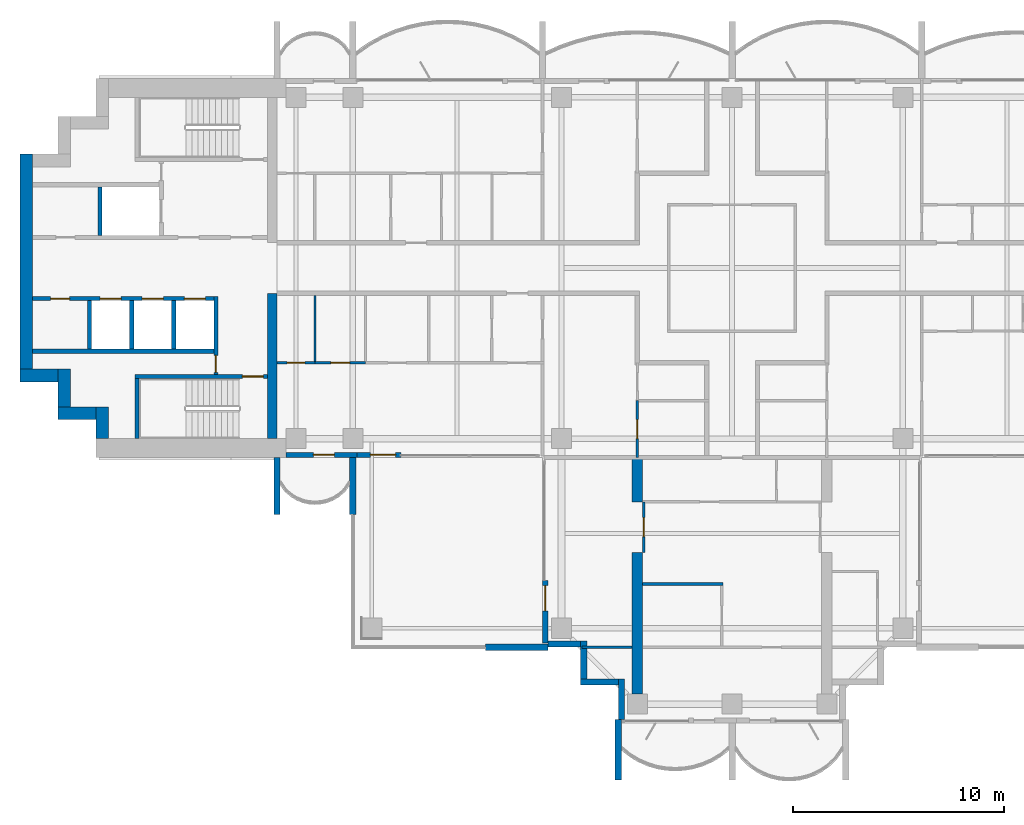
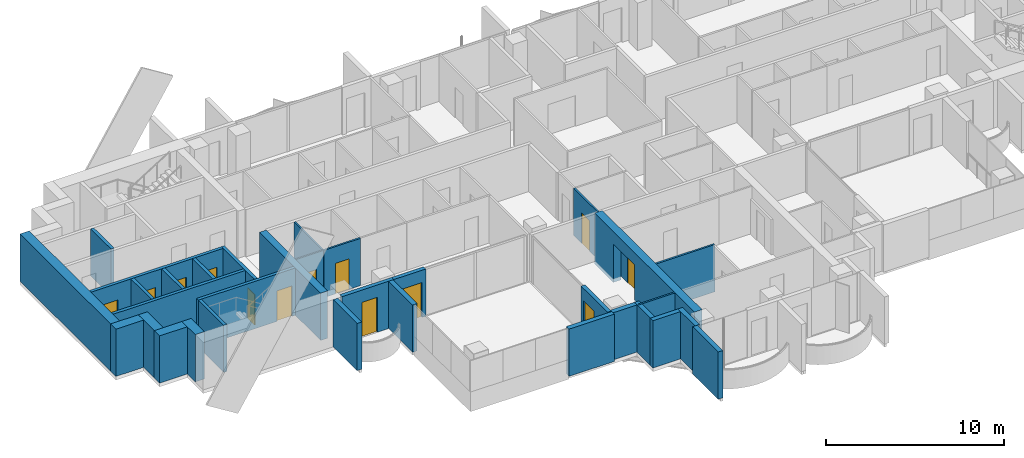
# One storey, part 8 of 17: 34 walls, 13 doors, 13 openings.
"""IFC4 building model written with IfcOpenShell, lengths in metres."""

from ifc_helpers import new_model, si_unit, direction, frame, frame_2d, origin, place, context, subcontext, project, spatial, polyline, rectangle, outline, extrude, material, layer, layer_set, material_profile, profile_set, type_object, element, fill, save


model = new_model("IFC4")

# Units and contexts
model_context = context("Model", 3, precision=1e-05, world=origin(), true_north=direction((0.0, 1.0)))
body_context = subcontext(model_context, "Body", "Model", "MODEL_VIEW")
ifc_project = project(units=[si_unit("LENGTHUNIT", "METRE"), si_unit("AREAUNIT", "SQUARE_METRE"), si_unit("VOLUMEUNIT", "CUBIC_METRE"), si_unit("PLANEANGLEUNIT", "RADIAN"), si_unit("MASSUNIT", "GRAM", prefix="KILO")], contexts=[model_context])

# Site, building, storey
site_placement = place(None, origin())
site = spatial("IfcSite", under=ifc_project, at=site_placement, CompositionType="ELEMENT")
building_placement = place(site_placement, origin())
building = spatial("IfcBuilding", under=site, at=building_placement, Name="Perihelion Cross Residences", CompositionType="ELEMENT")
storey_placement = place(building_placement, frame((0.0, 0.0, 187.60009765625)))
storey = spatial("IfcBuildingStorey", under=building, at=storey_placement, Name="L46", CompositionType="ELEMENT", Elevation=187.60009765625)

# Wall, opening, door
ifc_material_1 = material(Name="Concrete C30/37, bronze-clad", Category="concrete")
ifc_layer_1 = layer(ifc_material_1, 0.25)
ifc_layer_set_1 = layer_set([ifc_layer_1], Name="Bronze-clad pier wall 250")
wall_type_1 = type_object("IfcWallType", Name="Bronze-clad pier wall 250", PredefinedType="SOLIDWALL", material=ifc_layer_set_1)
wall_1_placement = place(storey_placement, frame((-21.175048828125, -8.875, 0.0), z_axis=(0.0, 0.0, 1.0), x_axis=(1.0, 0.0, 0.0)))
wall_1 = element("IfcWall", 1, at=wall_1_placement, inside=storey, type_object=wall_type_1, Name="Wall FW1 L46 west side south bay 1 pier", PredefinedType="SOLIDWALL", context=body_context, shape_type="SweptSolid", body=[
    extrude(rectangle(XDim=3.375, YDim=0.25, at=frame_2d((1.6875, 0.0))), origin(), (0.0, 0.0, 1.0), 3.25),
])
opening_1_placement = place(wall_1_placement, frame((1.300048828125, 0.0, 0.0)))
opening_1 = element("IfcOpeningElement", 2, at=opening_1_placement, cuts=wall_1, Name="Opening L46.E07", PredefinedType="OPENING", context=body_context, shape_type="SweptSolid", body=[
    extrude(rectangle(XDim=1.0, YDim=2.39990234375, at=frame_2d((0.5, 1.199951171875))), frame((0.0, 0.135009765625, 0.0), z_axis=(0.0, -1.0, 0.0), x_axis=(1.0, 0.0, 0.0)), (0.0, 0.0, 1.0), 0.27001953125),
])
ifc_material_2 = material(Name="Bronze anodised aluminium, glazed", Category="aluminium")
door_type_1 = type_object("IfcDoorType", Name="Balcony door 1000 x 2400", OperationType="NOTDEFINED", PredefinedType="DOOR", material=ifc_material_2)
door_1_placement = place(opening_1_placement, origin())
door_1 = element("IfcDoor", 3, at=door_1_placement, inside=storey, type_object=door_type_1, Name="Door L46.E07 west side south bay 1", OperationType="SINGLE_SWING_LEFT", OverallHeight=2.39990234375, OverallWidth=1.0, PredefinedType="DOOR", context=body_context, shape_type="SweptSolid", body=[
    extrude(rectangle(XDim=1.0, YDim=2.39990234375, at=frame_2d((0.5, 1.199951171875))), frame((0.0, 0.02490234375, 0.0), z_axis=(0.0, -1.0, 0.0), x_axis=(1.0, 0.0, 0.0)), (0.0, 0.0, 1.0), 0.050048828125),
])
fill(opening_1, door_1)

wall_2_placement = place(storey_placement, frame((-17.800048828125, -8.875, 0.0), z_axis=(0.0, 0.0, 1.0), x_axis=(1.0, 0.0, 0.0)))
wall_2 = element("IfcWall", 4, at=wall_2_placement, inside=storey, type_object=wall_type_1, Name="Wall FW1 L46 west side south bay 2 pier", PredefinedType="SOLIDWALL", context=body_context, shape_type="SweptSolid", body=[
    extrude(rectangle(XDim=2.074951171875, YDim=0.25, at=frame_2d((1.03759765625, 0.0))), origin(), (0.0, 0.0, 1.0), 3.25),
])
opening_2_placement = place(wall_2_placement, frame((0.625, 0.0, 0.0)))
opening_2 = element("IfcOpeningElement", 5, at=opening_2_placement, cuts=wall_2, Name="Opening L46.E08", PredefinedType="OPENING", context=body_context, shape_type="SweptSolid", body=[
    extrude(rectangle(XDim=1.199951171875, YDim=2.39990234375, at=frame_2d((0.60009765625, 1.199951171875))), frame((0.0, 0.135009765625, 0.0), z_axis=(0.0, -1.0, 0.0), x_axis=(1.0, 0.0, 0.0)), (0.0, 0.0, 1.0), 0.27001953125),
])
ifc_material_3 = material(Name="Bronze anodised aluminium, glazed", Category="aluminium")
door_type_2 = type_object("IfcDoorType", Name="Balcony door 1200 x 2400", OperationType="NOTDEFINED", PredefinedType="DOOR", material=ifc_material_3)
door_2_placement = place(opening_2_placement, origin())
door_2 = element("IfcDoor", 6, at=door_2_placement, inside=storey, type_object=door_type_2, Name="Door L46.E08 west side south bay 2", OperationType="SINGLE_SWING_RIGHT", OverallHeight=2.39990234375, OverallWidth=1.199951171875, PredefinedType="DOOR", context=body_context, shape_type="SweptSolid", body=[
    extrude(rectangle(XDim=1.199951171875, YDim=2.39990234375, at=frame_2d((0.60009765625, 1.199951171875))), frame((0.0, 0.02490234375, 0.0), z_axis=(0.0, -1.0, 0.0), x_axis=(1.0, 0.0, 0.0)), (0.0, 0.0, 1.0), 0.050048828125),
])
fill(opening_2, door_2)

wall_3_placement = place(storey_placement, frame((-8.875, -14.824951171875, 0.0), z_axis=(0.0, 0.0, 1.0), x_axis=(0.0, -1.0, 0.0)))
wall_3 = element("IfcWall", 7, at=wall_3_placement, inside=storey, type_object=wall_type_1, Name="Wall FW1 L46 south side west bay 1 pier", PredefinedType="SOLIDWALL", context=body_context, shape_type="SweptSolid", body=[
    extrude(rectangle(XDim=2.97509765625, YDim=0.25, at=frame_2d((1.487548828125, 0.0))), origin(), (0.0, 0.0, 1.0), 3.25),
])
opening_3_placement = place(wall_3_placement, frame((0.25, 0.0, 0.0)))
opening_3 = element("IfcOpeningElement", 8, at=opening_3_placement, cuts=wall_3, Name="Opening L46.E09", PredefinedType="OPENING", context=body_context, shape_type="SweptSolid", body=[
    extrude(rectangle(XDim=1.199951171875, YDim=2.39990234375, at=frame_2d((0.60009765625, 1.199951171875))), frame((0.0, 0.135009765625, 0.0), z_axis=(0.0, -1.0, 0.0), x_axis=(1.0, 0.0, 0.0)), (0.0, 0.0, 1.0), 0.27001953125),
])
door_3_placement = place(opening_3_placement, origin())
door_3 = element("IfcDoor", 9, at=door_3_placement, inside=storey, type_object=door_type_2, Name="Door L46.E09 south side west bay 1", OperationType="SINGLE_SWING_LEFT", OverallHeight=2.39990234375, OverallWidth=1.199951171875, PredefinedType="DOOR", context=body_context, shape_type="SweptSolid", body=[
    extrude(rectangle(XDim=1.199951171875, YDim=2.39990234375, at=frame_2d((0.60009765625, 1.199951171875))), frame((0.0, 0.02490234375, 0.0), z_axis=(0.0, -1.0, 0.0), x_axis=(1.0, 0.0, 0.0)), (0.0, 0.0, 1.0), 0.050048828125),
])
fill(opening_3, door_3)

# Walls
ifc_material_4 = material(Name="Concrete C30/37, bronze-clad", Category="concrete")
ifc_layer_2 = layer(ifc_material_4, 0.300048828125)
ifc_layer_set_2 = layer_set([ifc_layer_2], Name="Bronze-clad serration wall 300")
wall_type_2 = type_object("IfcWallType", Name="Bronze-clad serration wall 300", PredefinedType="SOLIDWALL", material=ifc_layer_set_2)
wall_4_placement = place(storey_placement, frame((-8.75, -17.85009765625, 0.0), z_axis=(0.0, 0.0, 1.0), x_axis=(1.0, 0.0, 0.0)))
element("IfcWall", 10, at=wall_4_placement, inside=storey, type_object=wall_type_2, Name="Wall SR1 L46 south corner south-west 1", PredefinedType="SOLIDWALL", context=body_context, shape_type="SweptSolid", body=[
    extrude(rectangle(XDim=1.550048828125, YDim=0.300048828125, at=frame_2d((0.77490234375, 0.0))), origin(), (0.0, 0.0, 1.0), 3.25),
])
for number, where, z_axis, x_axis, name in (
    (11, (-7.050048828125, -17.699951171875, 0.0), (0.0, 0.0, 1.0), (0.0, -1.0, 0.0), "Wall SR1 L46 south corner south-west 2"),
    (12, (-7.199951171875, -19.64990234375, 0.0), (0.0, 0.0, 1.0), (1.0, 0.0, 0.0), "Wall SR1 L46 south corner south-west 3"),
):
    element("IfcWall", number, at=place(storey_placement, frame(where, z_axis=z_axis, x_axis=x_axis)), inside=storey, type_object=wall_type_2, Name=name, PredefinedType="SOLIDWALL", context=body_context, shape_type="SweptSolid", body=[
        extrude(rectangle(XDim=1.800048828125, YDim=0.300048828125, at=frame_2d((0.89990234375, 0.0))), origin(), (0.0, 0.0, 1.0), 3.25),
    ])
wall_5_placement = place(storey_placement, frame((-5.25, -19.5, 0.0), z_axis=(0.0, 0.0, 1.0), x_axis=(0.0, -1.0, 0.0)))
element("IfcWall", 13, at=wall_5_placement, inside=storey, type_object=wall_type_2, Name="Wall SR1 L46 south corner south-west 4", PredefinedType="SOLIDWALL", context=body_context, shape_type="SweptSolid", body=[
    extrude(rectangle(XDim=1.919921875, YDim=0.300048828125, at=frame_2d((0.9599609375, 0.0))), origin(), (0.0, 0.0, 1.0), 3.25),
])
ifc_material_5 = material(Name="Concrete C60/75", Category="concrete")
ifc_layer_3 = layer(ifc_material_5, 0.449951171875)
ifc_layer_set_3 = layer_set([ifc_layer_3], Name="Core wall, inner 450")
wall_type_3 = type_object("IfcWallType", Name="Core wall, inner 450", PredefinedType="SHEAR", material=ifc_layer_set_3)
wall_6_placement = place(storey_placement, frame((-21.824951171875, -8.10009765625, 0.0), z_axis=(0.0, 0.0, 1.0), x_axis=(0.0, 1.0, 0.0)))
element("IfcWall", 14, at=wall_6_placement, inside=storey, type_object=wall_type_3, Name="West core core wall, inner", PredefinedType="SHEAR", context=body_context, shape_type="SweptSolid", body=[
    extrude(rectangle(XDim=6.900146484375, YDim=0.449951171875, at=frame_2d((3.4501953125, 0.0))), origin(), (0.0, 0.0, 1.0), 3.25),
])
ifc_material_6 = material(Name="Concrete C60/75", Category="concrete")
ifc_layer_4 = layer(ifc_material_6, 0.60009765625)
ifc_layer_set_4 = layer_set([ifc_layer_4], Name="Core wall, outer 600")
wall_type_4 = type_object("IfcWallType", Name="Core wall, outer 600", PredefinedType="SHEAR", material=ifc_layer_set_4)
wall_7_placement = place(storey_placement, frame((-29.89990234375, -8.10009765625, 0.0), z_axis=(0.0, 0.0, 1.0), x_axis=(0.0, 1.0, 0.0)))
element("IfcWall", 15, at=wall_7_placement, inside=storey, type_object=wall_type_4, Name="West core core wall, outer", PredefinedType="SHEAR", context=body_context, shape_type="SweptSolid", body=[
    extrude(rectangle(XDim=1.5, YDim=0.60009765625, at=frame_2d((0.75, 0.0))), origin(), (0.0, 0.0, 1.0), 3.25),
])
for number, where, z_axis, x_axis, name in (
    (16, (-32.0, -6.89990234375, 0.0), (0.0, 0.0, 1.0), (1.0, 0.0, 0.0), "West core core wall, outer"),
    (17, (-31.699951171875, -6.60009765625, 0.0), (0.0, 0.0, 1.0), (0.0, 1.0, 0.0), "West core core wall, outer"),
    (18, (-33.800048828125, -5.10009765625, 0.0), (0.0, 0.0, 1.0), (1.0, 0.0, 0.0), "West core core wall, outer"),
):
    element("IfcWall", number, at=place(storey_placement, frame(where, z_axis=z_axis, x_axis=x_axis)), inside=storey, type_object=wall_type_4, Name=name, PredefinedType="SHEAR", context=body_context, shape_type="SweptSolid", body=[
        extrude(rectangle(XDim=1.800048828125, YDim=0.60009765625, at=frame_2d((0.89990234375, 0.0))), origin(), (0.0, 0.0, 1.0), 3.25),
    ])
wall_8_placement = place(storey_placement, frame((-33.5, -4.800048828125, 0.0), z_axis=(0.0, 0.0, 1.0), x_axis=(0.0, 1.0, 0.0)))
element("IfcWall", 19, at=wall_8_placement, inside=storey, type_object=wall_type_4, Name="West core core wall, outer", PredefinedType="SHEAR", context=body_context, shape_type="SweptSolid", body=[
    extrude(rectangle(XDim=10.199951171875, YDim=0.60009765625, at=frame_2d((5.10009765625, 0.0))), origin(), (0.0, 0.0, 1.0), 3.25),
])

# Wall, opening, door
ifc_material_7 = material(Name="Plasterboard partition")
ifc_layer_5 = layer(ifc_material_7, 0.1201171875)
ifc_layer_set_5 = layer_set([ifc_layer_5], Name="Infill panel 120")
wall_type_5 = type_object("IfcWallType", Name="Infill panel 120", PredefinedType="PARTITIONING", material=ifc_layer_set_5)
wall_9_placement = place(storey_placement, frame((-4.18994140625, -11.10009765625, 0.0), z_axis=(0.0, 0.0, 1.0), x_axis=(0.0, -1.0, 0.0)))
wall_9 = element("IfcWall", 20, at=wall_9_placement, inside=storey, type_object=wall_type_5, Name="Partition L46 WI02", PredefinedType="PARTITIONING", context=body_context, shape_type="SweptSolid", body=[
    extrude(rectangle(XDim=2.39990234375, YDim=0.1201171875, at=frame_2d((1.199951171875, 0.0))), origin(), (0.0, 0.0, 1.0), 2.39990234375),
])
opening_4_placement = place(wall_9_placement, frame((0.75, 0.0, 0.0)))
opening_4 = element("IfcOpeningElement", 21, at=opening_4_placement, cuts=wall_9, Name="Opening L46.A43", PredefinedType="OPENING", context=body_context, shape_type="SweptSolid", body=[
    extrude(rectangle(XDim=0.89990234375, YDim=2.10009765625, at=frame_2d((0.449951171875, 1.050048828125))), frame((0.0, 0.070068359375, 0.0), z_axis=(0.0, -1.0, 0.0), x_axis=(1.0, 0.0, 0.0)), (0.0, 0.0, 1.0), 0.14013671875),
])
ifc_material_8 = material(Name="Timber door leaf", Category="wood")
door_type_3 = type_object("IfcDoorType", Name="Interior room door 900 x 2100", OperationType="SINGLE_SWING_LEFT", PredefinedType="DOOR", material=ifc_material_8)
door_4_placement = place(opening_4_placement, origin())
door_4 = element("IfcDoor", 22, at=door_4_placement, inside=storey, type_object=door_type_3, Name="Door L46.A43", OperationType="SINGLE_SWING_LEFT", OverallHeight=2.10009765625, OverallWidth=0.89990234375, PredefinedType="DOOR", context=body_context, shape_type="SweptSolid", body=[
    extrude(rectangle(XDim=0.89990234375, YDim=2.10009765625, at=frame_2d((0.449951171875, 1.050048828125))), frame((0.0, 0.02490234375, 0.0), z_axis=(0.0, -1.0, 0.0), x_axis=(1.0, 0.0, 0.0)), (0.0, 0.0, 1.0), 0.050048828125),
])
fill(opening_4, door_4)

ifc_material_9 = material(Name="Concrete C50/60", Category="concrete")
ifc_layer_6 = layer(ifc_material_9, 0.199951171875)
ifc_layer_set_6 = layer_set([ifc_layer_6], Name="Lobby wall 200")
wall_type_6 = type_object("IfcWallType", Name="Lobby wall 200", PredefinedType="SOLIDWALL", material=ifc_layer_set_6)
wall_10_placement = place(storey_placement, frame((-24.5, -5.050048828125, 0.0), z_axis=(0.0, 0.0, 1.0), x_axis=(0.0, 1.0, 0.0)))
wall_10 = element("IfcWall", 23, at=wall_10_placement, inside=storey, type_object=wall_type_6, Name="West core lobby wall", PredefinedType="SOLIDWALL", context=body_context, shape_type="SweptSolid", body=[
    extrude(rectangle(XDim=3.699951171875, YDim=0.199951171875, at=frame_2d((1.85009765625, 0.0))), origin(), (0.0, 0.0, 1.0), 3.25),
])
opening_5_placement = place(wall_10_placement, frame((0.10009765625, 0.0, 0.0)))
opening_5 = element("IfcOpeningElement", 24, at=opening_5_placement, cuts=wall_10, Name="Opening L46.C20", PredefinedType="OPENING", context=body_context, shape_type="SweptSolid", body=[
    extrude(rectangle(XDim=0.800048828125, YDim=2.10009765625, at=frame_2d((0.39990234375, 1.050048828125))), frame((0.0, 0.10986328125, 0.0), z_axis=(0.0, -1.0, 0.0), x_axis=(1.0, 0.0, 0.0)), (0.0, 0.0, 1.0), 0.219970703125),
])
ifc_material_10 = material(Name="Steel, powder coated", Category="steel")
door_type_4 = type_object("IfcDoorType", Name="Riser door 800", OperationType="SINGLE_SWING_LEFT", PredefinedType="DOOR", material=ifc_material_10)
door_5_placement = place(opening_5_placement, origin())
door_5 = element("IfcDoor", 25, at=door_5_placement, inside=storey, type_object=door_type_4, Name="West core riser door", OperationType="SINGLE_SWING_LEFT", OverallHeight=2.10009765625, OverallWidth=0.800048828125, PredefinedType="DOOR", context=body_context, shape_type="SweptSolid", body=[
    extrude(rectangle(XDim=0.800048828125, YDim=2.10009765625, at=frame_2d((0.39990234375, 1.050048828125))), frame((0.0, 0.02490234375, 0.0), z_axis=(0.0, -1.0, 0.0), x_axis=(1.0, 0.0, 0.0)), (0.0, 0.0, 1.0), 0.050048828125),
])
fill(opening_5, door_5)

ifc_material_11 = material(Name="Plasterboard partition")
ifc_layer_7 = layer(ifc_material_11, 0.1201171875)
ifc_layer_set_7 = layer_set([ifc_layer_7], Name="Partition wall 120")
wall_type_7 = type_object("IfcWallType", Name="Partition wall 120", PredefinedType="PARTITIONING", material=ifc_layer_set_7)
wall_11_placement = place(storey_placement, frame((-17.39990234375, -4.5, 0.0), z_axis=(0.0, 0.0, 1.0), x_axis=(-1.0, 0.0, 0.0)))
wall_11 = element("IfcWall", 26, at=wall_11_placement, inside=storey, type_object=wall_type_7, Name="Partition L46 W059", PredefinedType="PARTITIONING", context=body_context, shape_type="SweptSolid", body=[
    extrude(rectangle(XDim=2.400146484375, YDim=0.1201171875, at=frame_2d((1.2001953125, 0.0))), origin(), (0.0, 0.0, 1.0), 3.25),
])
opening_6_placement = place(wall_11_placement, frame((0.75, 0.0, 0.0)))
opening_6 = element("IfcOpeningElement", 27, at=opening_6_placement, cuts=wall_11, Name="Opening L46.A31", PredefinedType="OPENING", context=body_context, shape_type="SweptSolid", body=[
    extrude(rectangle(XDim=0.89990234375, YDim=2.10009765625, at=frame_2d((0.449951171875, 1.050048828125))), frame((0.0, 0.070068359375, 0.0), z_axis=(0.0, -1.0, 0.0), x_axis=(1.0, 0.0, 0.0)), (0.0, 0.0, 1.0), 0.14013671875),
])
door_6_placement = place(opening_6_placement, origin())
door_6 = element("IfcDoor", 28, at=door_6_placement, inside=storey, type_object=door_type_3, Name="Door L46.A31", OperationType="SINGLE_SWING_RIGHT", OverallHeight=2.10009765625, OverallWidth=0.89990234375, PredefinedType="DOOR", context=body_context, shape_type="SweptSolid", body=[
    extrude(rectangle(XDim=0.89990234375, YDim=2.10009765625, at=frame_2d((0.449951171875, 1.050048828125))), frame((0.0, 0.02490234375, 0.0), z_axis=(0.0, -1.0, 0.0), x_axis=(1.0, 0.0, 0.0)), (0.0, 0.0, 1.0), 0.050048828125),
])
fill(opening_6, door_6)

wall_12_placement = place(storey_placement, frame((-4.5, -6.300048828125, 0.0), z_axis=(0.0, 0.0, 1.0), x_axis=(0.0, -1.0, 0.0)))
wall_12 = element("IfcWall", 29, at=wall_12_placement, inside=storey, type_object=wall_type_7, Name="Partition L46 W062", PredefinedType="PARTITIONING", context=body_context, shape_type="SweptSolid", body=[
    extrude(rectangle(XDim=2.699951171875, YDim=0.1201171875, at=frame_2d((1.35009765625, 0.0))), origin(), (0.0, 0.0, 1.0), 3.25),
])
opening_7_placement = place(wall_12_placement, frame((0.89990234375, 0.0, 0.0)))
opening_7 = element("IfcOpeningElement", 30, at=opening_7_placement, cuts=wall_12, Name="Opening L46.A27", PredefinedType="OPENING", context=body_context, shape_type="SweptSolid", body=[
    extrude(rectangle(XDim=0.89990234375, YDim=2.10009765625, at=frame_2d((0.449951171875, 1.050048828125))), frame((0.0, 0.070068359375, 0.0), z_axis=(0.0, -1.0, 0.0), x_axis=(1.0, 0.0, 0.0)), (0.0, 0.0, 1.0), 0.14013671875),
])
door_7_placement = place(opening_7_placement, origin())
door_7 = element("IfcDoor", 31, at=door_7_placement, inside=storey, type_object=door_type_3, Name="Door L46.A27", OperationType="SINGLE_SWING_RIGHT", OverallHeight=2.10009765625, OverallWidth=0.89990234375, PredefinedType="DOOR", context=body_context, shape_type="SweptSolid", body=[
    extrude(rectangle(XDim=0.89990234375, YDim=2.10009765625, at=frame_2d((0.449951171875, 1.050048828125))), frame((0.0, 0.02490234375, 0.0), z_axis=(0.0, -1.0, 0.0), x_axis=(1.0, 0.0, 0.0)), (0.0, 0.0, 1.0), 0.050048828125),
])
fill(opening_7, door_7)

# Walls
wall_13_placement = place(storey_placement, frame((-0.43994140625, -15.0, 0.0), z_axis=(0.0, 0.0, 1.0), x_axis=(-1.0, 0.0, 0.0)))
element("IfcWall", 32, at=wall_13_placement, inside=storey, type_object=wall_type_7, Name="Partition L46 W068", PredefinedType="PARTITIONING", context=body_context, shape_type="SweptSolid", body=[
    extrude(rectangle(XDim=3.81005859375, YDim=0.1201171875, at=frame_2d((1.905029296875, 0.0))), origin(), (0.0, 0.0, 1.0), 3.25),
])
wall_14_placement = place(storey_placement, frame((-4.75, -18.0, 0.0), z_axis=(0.0, 0.0, 1.0), x_axis=(-1.0, 0.0, 0.0)))
element("IfcWall", 33, at=wall_14_placement, inside=storey, type_object=wall_type_7, Name="Partition L46 W073", PredefinedType="PARTITIONING", context=body_context, shape_type="SweptSolid", body=[
    extrude(rectangle(XDim=2.3701171875, YDim=0.1201171875, at=frame_2d((1.18505859375, 0.0))), origin(), (0.0, 0.0, 1.0), 3.25),
])
ifc_material_12 = material(Name="Precast concrete C50/60", Category="concrete")
ifc_layer_8 = layer(ifc_material_12, 0.300048828125)
ifc_layer_set_8 = layer_set([ifc_layer_8], Name="Precast concrete C50/60 blade wall 300")
wall_type_8 = type_object("IfcWallType", Name="Precast concrete C50/60 blade wall 300", PredefinedType="SOLIDWALL", material=ifc_layer_set_8)
for number, where, z_axis, x_axis, name in (
    (34, (-21.60009765625, -9.0, 0.0), (0.0, 0.0, 1.0), (0.0, -1.0, 0.0), "Wall BL1 L46 no. 3"),
    (35, (-18.0, -9.0, 0.0), (0.0, 0.0, 1.0), (0.0, -1.0, 0.0), "Wall BL1 L46 no. 1"),
):
    element("IfcWall", number, at=place(storey_placement, frame(where, z_axis=z_axis, x_axis=x_axis)), inside=storey, type_object=wall_type_8, Name=name, PredefinedType="SOLIDWALL", context=body_context, shape_type="SweptSolid", body=[
        extrude(rectangle(XDim=2.699951171875, YDim=0.300048828125, at=frame_2d((1.35009765625, 0.0))), origin(), (0.0, 0.0, 1.0), 3.25),
    ])
wall_15_placement = place(storey_placement, frame((-8.75, -18.0, 0.0), z_axis=(0.0, 0.0, 1.0), x_axis=(-1.0, 0.0, 0.0)))
element("IfcWall", 36, at=wall_15_placement, inside=storey, type_object=wall_type_8, Name="Wall BL1 L46 no. 6", PredefinedType="SOLIDWALL", context=body_context, shape_type="SweptSolid", body=[
    extrude(rectangle(XDim=2.949951171875, YDim=0.300048828125, at=frame_2d((1.47509765625, 0.0))), origin(), (0.0, 0.0, 1.0), 3.25),
])
wall_16_placement = place(storey_placement, frame((-5.39990234375, -21.419921875, 0.0), z_axis=(0.0, 0.0, 1.0), x_axis=(0.0, -1.0, 0.0)))
element("IfcWall", 37, at=wall_16_placement, inside=storey, type_object=wall_type_8, Name="Wall BL1 L46 no. 5", PredefinedType="SOLIDWALL", context=body_context, shape_type="SweptSolid", body=[
    extrude(rectangle(XDim=2.880126953125, YDim=0.300048828125, at=frame_2d((1.43994140625, 0.0))), origin(), (0.0, 0.0, 1.0), 3.25),
])

# Wall, openings, doors
ifc_material_13 = material(Name="Concrete C50/60", Category="concrete")
ifc_layer_9 = layer(ifc_material_13, 0.199951171875)
ifc_layer_set_9 = layer_set([ifc_layer_9], Name="Shaft wall 200")
wall_type_9 = type_object("IfcWallType", Name="Shaft wall 200", PredefinedType="SOLIDWALL", material=ifc_layer_set_9)
wall_17_placement = place(storey_placement, frame((-33.199951171875, -1.449951171875, 0.0), z_axis=(0.0, 0.0, 1.0), x_axis=(1.0, 0.0, 0.0)))
wall_17 = element("IfcWall", 38, at=wall_17_placement, inside=storey, type_object=wall_type_9, Name="West core shaft wall", PredefinedType="SOLIDWALL", context=body_context, shape_type="SweptSolid", body=[
    extrude(rectangle(XDim=8.599853515625, YDim=0.199951171875, at=frame_2d((4.2998046875, 0.0))), origin(), (0.0, 0.0, 1.0), 3.25),
])
opening_8_placement = place(wall_17_placement, frame((7.199951171875, 0.0, 0.0)))
opening_8 = element("IfcOpeningElement", 39, at=opening_8_placement, cuts=wall_17, Name="Opening L46.C13", PredefinedType="OPENING", context=body_context, shape_type="SweptSolid", body=[
    extrude(rectangle(XDim=1.0, YDim=2.10009765625, at=frame_2d((0.5, 1.050048828125))), frame((0.0, 0.10986328125, 0.0), z_axis=(0.0, -1.0, 0.0), x_axis=(1.0, 0.0, 0.0)), (0.0, 0.0, 1.0), 0.219970703125),
])
opening_9_placement = place(wall_17_placement, frame((5.199951171875, 0.0, 0.0)))
opening_9 = element("IfcOpeningElement", 40, at=opening_9_placement, cuts=wall_17, Name="Opening L46.C15", PredefinedType="OPENING", context=body_context, shape_type="SweptSolid", body=[
    extrude(rectangle(XDim=1.0, YDim=2.10009765625, at=frame_2d((0.5, 1.050048828125))), frame((0.0, 0.10986328125, 0.0), z_axis=(0.0, -1.0, 0.0), x_axis=(1.0, 0.0, 0.0)), (0.0, 0.0, 1.0), 0.219970703125),
])
opening_10_placement = place(wall_17_placement, frame((3.199951171875, 0.0, 0.0)))
opening_10 = element("IfcOpeningElement", 41, at=opening_10_placement, cuts=wall_17, Name="Opening L46.C16", PredefinedType="OPENING", context=body_context, shape_type="SweptSolid", body=[
    extrude(rectangle(XDim=1.0, YDim=2.10009765625, at=frame_2d((0.5, 1.050048828125))), frame((0.0, 0.10986328125, 0.0), z_axis=(0.0, -1.0, 0.0), x_axis=(1.0, 0.0, 0.0)), (0.0, 0.0, 1.0), 0.219970703125),
])
opening_11_placement = place(wall_17_placement, frame((0.85009765625, 0.0, 0.0)))
opening_11 = element("IfcOpeningElement", 42, at=opening_11_placement, cuts=wall_17, Name="Opening L46.C24", PredefinedType="OPENING", context=body_context, shape_type="SweptSolid", body=[
    extrude(rectangle(XDim=0.89990234375, YDim=2.10009765625, at=frame_2d((0.449951171875, 1.050048828125))), frame((0.0, 0.10986328125, 0.0), z_axis=(0.0, -1.0, 0.0), x_axis=(1.0, 0.0, 0.0)), (0.0, 0.0, 1.0), 0.219970703125),
])
ifc_material_14 = material(Name="Stainless steel", Category="steel")
door_type_5 = type_object("IfcDoorType", Name="Landing door 1000", OperationType="DOUBLE_DOOR_SLIDING", PredefinedType="DOOR", material=ifc_material_14)
door_8_placement = place(opening_8_placement, origin())
door_8 = element("IfcDoor", 43, at=door_8_placement, inside=storey, type_object=door_type_5, Name="Landing door, West core high-rise lift 1", OperationType="DOUBLE_DOOR_SLIDING", OverallHeight=2.10009765625, OverallWidth=1.0, PredefinedType="DOOR", context=body_context, shape_type="SweptSolid", body=[
    extrude(rectangle(XDim=1.0, YDim=2.10009765625, at=frame_2d((0.5, 1.050048828125))), frame((0.0, 0.02490234375, 0.0), z_axis=(0.0, -1.0, 0.0), x_axis=(1.0, 0.0, 0.0)), (0.0, 0.0, 1.0), 0.050048828125),
])
fill(opening_8, door_8)
door_9_placement = place(opening_9_placement, origin())
door_9 = element("IfcDoor", 44, at=door_9_placement, inside=storey, type_object=door_type_5, Name="Landing door, West core high-rise lift 2", OperationType="DOUBLE_DOOR_SLIDING", OverallHeight=2.10009765625, OverallWidth=1.0, PredefinedType="DOOR", context=body_context, shape_type="SweptSolid", body=[
    extrude(rectangle(XDim=1.0, YDim=2.10009765625, at=frame_2d((0.5, 1.050048828125))), frame((0.0, 0.02490234375, 0.0), z_axis=(0.0, -1.0, 0.0), x_axis=(1.0, 0.0, 0.0)), (0.0, 0.0, 1.0), 0.050048828125),
])
fill(opening_9, door_9)
door_10_placement = place(opening_10_placement, origin())
door_10 = element("IfcDoor", 45, at=door_10_placement, inside=storey, type_object=door_type_5, Name="Landing door, West core high-rise lift 3", OperationType="DOUBLE_DOOR_SLIDING", OverallHeight=2.10009765625, OverallWidth=1.0, PredefinedType="DOOR", context=body_context, shape_type="SweptSolid", body=[
    extrude(rectangle(XDim=1.0, YDim=2.10009765625, at=frame_2d((0.5, 1.050048828125))), frame((0.0, 0.02490234375, 0.0), z_axis=(0.0, -1.0, 0.0), x_axis=(1.0, 0.0, 0.0)), (0.0, 0.0, 1.0), 0.050048828125),
])
fill(opening_10, door_10)
ifc_material_15 = material(Name="Steel, powder coated", Category="steel")
door_type_6 = type_object("IfcDoorType", Name="Service room door 900", OperationType="SINGLE_SWING_LEFT", PredefinedType="DOOR", material=ifc_material_15)
door_11_placement = place(opening_11_placement, origin())
door_11 = element("IfcDoor", 46, at=door_11_placement, inside=storey, type_object=door_type_6, Name="West core service room door", OperationType="SINGLE_SWING_LEFT", OverallHeight=2.10009765625, OverallWidth=0.89990234375, PredefinedType="DOOR", context=body_context, shape_type="SweptSolid", body=[
    extrude(rectangle(XDim=0.89990234375, YDim=2.10009765625, at=frame_2d((0.449951171875, 1.050048828125))), frame((0.0, 0.02490234375, 0.0), z_axis=(0.0, -1.0, 0.0), x_axis=(1.0, 0.0, 0.0)), (0.0, 0.0, 1.0), 0.050048828125),
])
fill(opening_11, door_11)

# Walls
wall_18_placement = place(storey_placement, frame((-33.199951171875, -3.949951171875, 0.0), z_axis=(0.0, 0.0, 1.0), x_axis=(1.0, 0.0, 0.0)))
element("IfcWall", 47, at=wall_18_placement, inside=storey, type_object=wall_type_9, Name="West core shaft wall", PredefinedType="SOLIDWALL", context=body_context, shape_type="SweptSolid", body=[
    extrude(rectangle(XDim=8.599853515625, YDim=0.199951171875, at=frame_2d((4.2998046875, 0.0))), origin(), (0.0, 0.0, 1.0), 3.25),
])
for number, where, z_axis, x_axis, name in (
    (48, (-30.0, 1.550048828125, 0.0), (0.0, 0.0, 1.0), (0.0, 1.0, 0.0), "West core shaft wall"),
    (49, (-26.5, -3.85009765625, 0.0), (0.0, 0.0, 1.0), (0.0, 1.0, 0.0), "West core shaft wall"),
    (50, (-28.5, -3.85009765625, 0.0), (0.0, 0.0, 1.0), (0.0, 1.0, 0.0), "West core shaft wall"),
    (51, (-30.5, -3.85009765625, 0.0), (0.0, 0.0, 1.0), (0.0, 1.0, 0.0), "West core shaft wall"),
):
    element("IfcWall", number, at=place(storey_placement, frame(where, z_axis=z_axis, x_axis=x_axis)), inside=storey, type_object=wall_type_9, Name=name, PredefinedType="SOLIDWALL", context=body_context, shape_type="SweptSolid", body=[
        extrude(rectangle(XDim=2.300048828125, YDim=0.199951171875, at=frame_2d((1.14990234375, 0.0))), origin(), (0.0, 0.0, 1.0), 3.25),
    ])

# Wall, opening, door
ifc_material_16 = material(Name="Concrete C50/60", Category="concrete")
ifc_layer_10 = layer(ifc_material_16, 0.199951171875)
ifc_layer_set_10 = layer_set([ifc_layer_10], Name="Stair wall 200")
wall_type_10 = type_object("IfcWallType", Name="Stair wall 200", PredefinedType="SOLIDWALL", material=ifc_layer_set_10)
wall_19_placement = place(storey_placement, frame((-28.35009765625, -5.14990234375, 0.0), z_axis=(0.0, 0.0, 1.0), x_axis=(1.0, 0.0, 0.0)))
wall_19 = element("IfcWall", 52, at=wall_19_placement, inside=storey, type_object=wall_type_10, Name="West core stair wall", PredefinedType="SOLIDWALL", context=body_context, shape_type="SweptSolid", body=[
    extrude(rectangle(XDim=6.300048828125, YDim=0.199951171875, at=frame_2d((3.14990234375, 0.0))), origin(), (0.0, 0.0, 1.0), 3.25),
])
opening_12_placement = place(wall_19_placement, frame((5.10009765625, 0.0, 0.0)))
opening_12 = element("IfcOpeningElement", 53, at=opening_12_placement, cuts=wall_19, Name="Opening L46.C17", PredefinedType="OPENING", context=body_context, shape_type="SweptSolid", body=[
    extrude(rectangle(XDim=1.0, YDim=2.10009765625, at=frame_2d((0.5, 1.050048828125))), frame((0.0, 0.10986328125, 0.0), z_axis=(0.0, -1.0, 0.0), x_axis=(1.0, 0.0, 0.0)), (0.0, 0.0, 1.0), 0.219970703125),
])
ifc_material_17 = material(Name="Steel, powder coated", Category="steel")
door_type_7 = type_object("IfcDoorType", Name="Stair door 1000", OperationType="SINGLE_SWING_LEFT", PredefinedType="DOOR", material=ifc_material_17)
door_12_placement = place(opening_12_placement, origin())
door_12 = element("IfcDoor", 54, at=door_12_placement, inside=storey, type_object=door_type_7, Name="West core stair door", OperationType="SINGLE_SWING_LEFT", OverallHeight=2.10009765625, OverallWidth=1.0, PredefinedType="DOOR", context=body_context, shape_type="SweptSolid", body=[
    extrude(rectangle(XDim=1.0, YDim=2.10009765625, at=frame_2d((0.5, 1.050048828125))), frame((0.0, 0.02490234375, 0.0), z_axis=(0.0, -1.0, 0.0), x_axis=(1.0, 0.0, 0.0)), (0.0, 0.0, 1.0), 0.050048828125),
])
fill(opening_12, door_12)

# Walls
wall_20_placement = place(storey_placement, frame((-28.25, -8.10009765625, 0.0), z_axis=(0.0, 0.0, 1.0), x_axis=(0.0, 1.0, 0.0)))
element("IfcWall", 55, at=wall_20_placement, inside=storey, type_object=wall_type_10, Name="West core stair wall", PredefinedType="SOLIDWALL", context=body_context, shape_type="SweptSolid", body=[
    extrude(rectangle(XDim=2.85009765625, YDim=0.199951171875, at=frame_2d((1.425048828125, 0.0))), origin(), (0.0, 0.0, 1.0), 3.25),
])
ifc_material_18 = material(Name="Concrete C60/75", Category="concrete")
ifc_material_profile = material_profile(ifc_material_18, outline(polyline([(0.0, 0.0), (6.72509765625, 0.0), (6.72509765625, 2.64990234375), (9.125, 2.64990234375), (9.125, 0.0), (11.22509765625, 0.0), (11.22509765625, 3.5), (0.0, 3.5), (0.0, 0.0)])), Name="Tip spine wall")
ifc_profile_set = profile_set([ifc_material_profile], Name="Concrete C60/75")
wall_type_11 = type_object("IfcWallType", Name="Tip spine wall 500 with 1 door openings 11225 long 3500 high concrete C60/75", PredefinedType="SHEAR", material=ifc_profile_set)
wall_21_placement = place(storey_placement, frame((-4.75, -20.22509765625, -0.25), z_axis=(1.0, 0.0, 0.0), x_axis=(0.0, 1.0, 0.0)))
element("IfcWall", 56, at=wall_21_placement, inside=storey, type_object=wall_type_11, Name="Shear wall SW41 L46 south west", PredefinedType="SHEAR", context=body_context, shape_type="SweptSolid", body=[
    extrude(outline(polyline([(0.0, 0.0), (6.72509765625, 0.0), (6.72509765625, 2.64990234375), (9.125, 2.64990234375), (9.125, 0.0), (11.22509765625, 0.0), (11.22509765625, 3.5), (0.0, 3.5), (0.0, 0.0)])), origin(), (0.0, 0.0, 1.0), 0.5),
])
ifc_material_19 = material(Name="Plasterboard partition")
ifc_layer_11 = layer(ifc_material_19, 0.10009765625)
ifc_layer_set_11 = layer_set([ifc_layer_11], Name="Wet room wall 100")
wall_type_12 = type_object("IfcWallType", Name="Wet room wall 100", PredefinedType="PARTITIONING", material=ifc_layer_set_11)
wall_22_placement = place(storey_placement, frame((-19.800048828125, -4.43994140625, 0.0), z_axis=(0.0, 0.0, 1.0), x_axis=(0.0, 1.0, 0.0)))
element("IfcWall", 57, at=wall_22_placement, inside=storey, type_object=wall_type_12, Name="Partition L46 W058", PredefinedType="PARTITIONING", context=body_context, shape_type="SweptSolid", body=[
    extrude(rectangle(XDim=3.139892578125, YDim=0.10009765625, at=frame_2d((1.56982421875, 0.0))), origin(), (0.0, 0.0, 1.0), 3.25),
])

# Wall, opening, door
wall_23_placement = place(storey_placement, frame((-19.800048828125, -4.5, 0.0), z_axis=(0.0, 0.0, 1.0), x_axis=(-1.0, 0.0, 0.0)))
wall_23 = element("IfcWall", 58, at=wall_23_placement, inside=storey, type_object=wall_type_12, Name="Partition L46 W060", PredefinedType="PARTITIONING", context=body_context, shape_type="SweptSolid", body=[
    extrude(rectangle(XDim=1.800048828125, YDim=0.10009765625, at=frame_2d((0.89990234375, 0.0))), origin(), (0.0, 0.0, 1.0), 3.25),
])
opening_13_placement = place(wall_23_placement, frame((0.47509765625, 0.0, 0.0)))
opening_13 = element("IfcOpeningElement", 59, at=opening_13_placement, cuts=wall_23, Name="Opening L46.A29", PredefinedType="OPENING", context=body_context, shape_type="SweptSolid", body=[
    extrude(rectangle(XDim=0.85009765625, YDim=2.10009765625, at=frame_2d((0.425048828125, 1.050048828125))), frame((0.0, 0.06005859375, 0.0), z_axis=(0.0, -1.0, 0.0), x_axis=(1.0, 0.0, 0.0)), (0.0, 0.0, 1.0), 0.1201171875),
])
ifc_material_20 = material(Name="Timber door leaf", Category="wood")
door_type_8 = type_object("IfcDoorType", Name="Interior bathroom door 850 x 2100", OperationType="SINGLE_SWING_LEFT", PredefinedType="DOOR", material=ifc_material_20)
door_13_placement = place(opening_13_placement, origin())
door_13 = element("IfcDoor", 60, at=door_13_placement, inside=storey, type_object=door_type_8, Name="Door L46.A29", OperationType="SINGLE_SWING_LEFT", OverallHeight=2.10009765625, OverallWidth=0.85009765625, PredefinedType="DOOR", context=body_context, shape_type="SweptSolid", body=[
    extrude(rectangle(XDim=0.85009765625, YDim=2.10009765625, at=frame_2d((0.425048828125, 1.050048828125))), frame((0.0, 0.02490234375, 0.0), z_axis=(0.0, -1.0, 0.0), x_axis=(1.0, 0.0, 0.0)), (0.0, 0.0, 1.0), 0.050048828125),
])
fill(opening_13, door_13)

save(model, "model.ifc")
